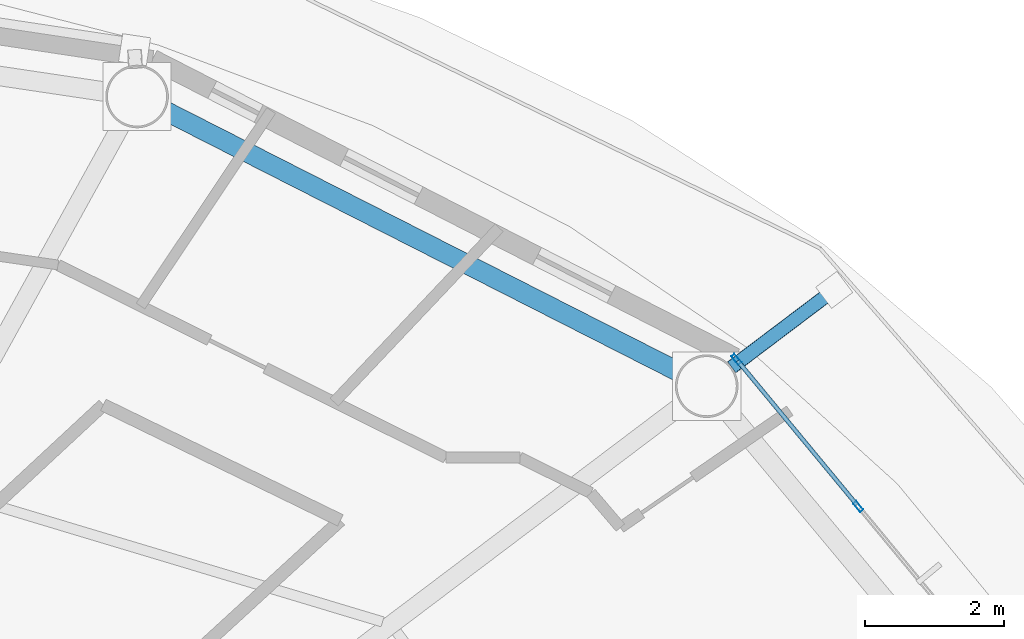
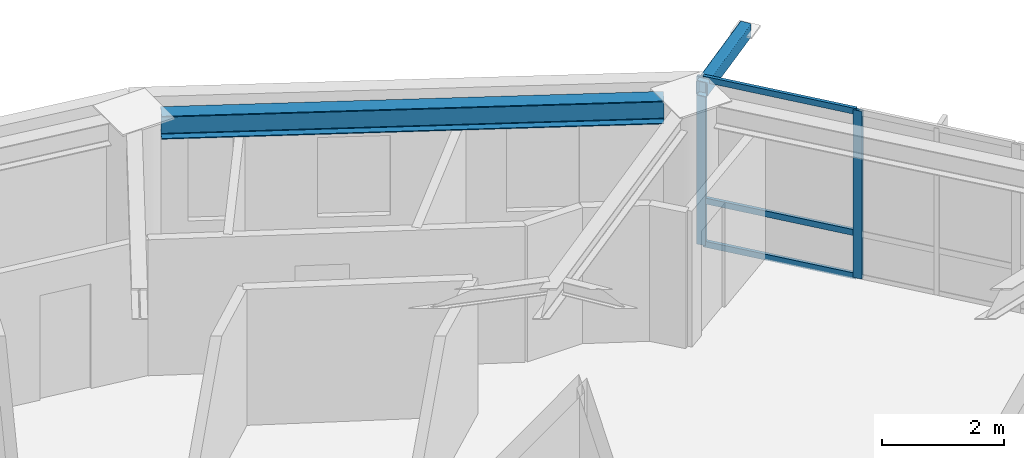
# One storey, part 11 of 23: 6 members, 1 beam, 1 element without a shape of its own.
"""IFC4 building model written with IfcOpenShell, lengths in metres."""

from ifc_helpers import new_model, si_unit, direction, frame, origin, origin_2d, place, context, subcontext, project, spatial, hollow_rectangle, i_section, extrude, material, layer, layer_set, material_profile, profile_set, type_object, element, aggregate, save


model = new_model("IFC4")

# Units and contexts
model_context = context("Model", 3, precision=1e-05, world=origin(), true_north=direction((0.0, 1.0)))
body_context = subcontext(model_context, "Body", "Model", "MODEL_VIEW")
ifc_project = project(units=[si_unit("LENGTHUNIT", "METRE"), si_unit("AREAUNIT", "SQUARE_METRE"), si_unit("VOLUMEUNIT", "CUBIC_METRE"), si_unit("PLANEANGLEUNIT", "RADIAN"), si_unit("MASSUNIT", "GRAM", prefix="KILO")], contexts=[model_context])

# Site, building, storey
site_placement = place(None, origin())
site = spatial("IfcSite", under=ifc_project, at=site_placement, CompositionType="ELEMENT")
building_placement = place(site_placement, origin())
building = spatial("IfcBuilding", under=site, at=building_placement, Name="Sarneth Arch Tower", CompositionType="ELEMENT")
storey_placement = place(building_placement, frame((0.0, 0.0, 262.199951171875)))
storey = spatial("IfcBuildingStorey", under=building, at=storey_placement, Name="L67", CompositionType="ELEMENT", Elevation=262.199951171875)

# Beam
ifc_material_1 = material(Name="Steel S355", Category="steel")
ifc_material_profile_1 = material_profile(ifc_material_1, i_section(OverallWidth=0.280029296875, OverallDepth=0.462890625, WebThickness=0.0107421875, FlangeThickness=0.017333984375, FilletRadius=0.01806640625, at=origin_2d()), Name="W460x113")
ifc_profile_set_1 = profile_set([ifc_material_profile_1], Name="Steel S355")
beam_type = type_object("IfcBeamType", Name="BM-RAD-460A", PredefinedType="BEAM", material=ifc_profile_set_1)
beam_placement = place(storey_placement, frame((65.57421875, 55.780517578125, 3.138427734375), z_axis=(-0.891376248079, 0.453264144138, 0.0), x_axis=(-0.453264144138, -0.891376248079, 0.0)))
element("IfcBeam", 1, at=beam_placement, inside=storey, type_object=beam_type, Name="L67 Perimeter spandrel beam 03", PredefinedType="BEAM", context=body_context, shape_type="SweptSolid", body=[
    extrude(i_section(OverallWidth=0.280029296875, OverallDepth=0.462890625, WebThickness=0.0107421875, FlangeThickness=0.017333984375, FilletRadius=0.01806640625, at=origin_2d()), origin(), (0.0, 0.0, 1.0), 8.281982421875),
])

# Curtain wall, members
ifc_material_2 = material(Name="Anodised aluminium Type AA25 and solar-control low-e laminated IGU", Category="aluminium")
ifc_layer = layer(ifc_material_2, 0.179931640625)
ifc_layer_set = layer_set([ifc_layer], Name="Anodised aluminium Type AA25 and solar-control low-e laminated IGU")
curtain_wall_type = type_object("IfcCurtainWallType", Name="CW-RES-HIGH", PredefinedType="NOTDEFINED", material=ifc_layer_set)
curtain_wall_placement = place(storey_placement, origin())
curtain_wall = element("IfcCurtainWall", 2, at=curtain_wall_placement, inside=storey, type_object=curtain_wall_type, Name="L67 Unitised curtain wall facet 02", PredefinedType="NOTDEFINED")
ifc_material_3 = material(Name="Anodised Aluminium 6063-T6", Category="aluminium")
ifc_material_profile_2 = material_profile(ifc_material_3, hollow_rectangle(XDim=0.06005859375, YDim=0.159912109375, WallThickness=0.00390625, at=origin_2d()), Name="AL-MULL-160x60x4")
ifc_profile_set_2 = profile_set([ifc_material_profile_2], Name="Anodised Aluminium 6063-T6")
member_type_1 = type_object("IfcMemberType", Name="CW-MULLION", PredefinedType="MULLION", material=ifc_profile_set_2)
member_1_placement = place(storey_placement, frame((68.15283203125, 53.84765625, 0.0), z_axis=(0.0, 0.0, 1.0), x_axis=(-0.770359245933, -0.637610094184, 0.0)))
member_1 = element("IfcMember", 3, at=member_1_placement, type_object=member_type_1, Name="CW-SYS-6 mullion 3", PredefinedType="MULLION", context=body_context, shape_type="SweptSolid", body=[
    extrude(hollow_rectangle(XDim=0.06005859375, YDim=0.159912109375, WallThickness=0.00390625, at=origin_2d()), origin(), (0.0, 0.0, 1.0), 3.3701171875),
])
member_2_placement = place(storey_placement, frame((66.401611328125, 55.96337890625, 0.0), z_axis=(0.0, 0.0, 1.0), x_axis=(-0.770359245933, -0.637610094184, 0.0)))
member_2 = element("IfcMember", 4, at=member_2_placement, type_object=member_type_1, Name="CW-SYS-6 mullion 4", PredefinedType="MULLION", context=body_context, shape_type="SweptSolid", body=[
    extrude(hollow_rectangle(XDim=0.06005859375, YDim=0.159912109375, WallThickness=0.00390625, at=origin_2d()), origin(), (0.0, 0.0, 1.0), 3.3701171875),
])
ifc_material_4 = material(Name="Anodised Aluminium 6063-T6", Category="aluminium")
ifc_material_profile_3 = material_profile(ifc_material_4, hollow_rectangle(XDim=0.06005859375, YDim=0.1201171875, WallThickness=0.00390625, at=origin_2d()), Name="AL-TRAN-120x60x4")
ifc_profile_set_3 = profile_set([ifc_material_profile_3], Name="Anodised Aluminium 6063-T6")
member_type_2 = type_object("IfcMemberType", Name="CW-TRANSOM", PredefinedType="USERDEFINED", material=ifc_profile_set_3)
member_3_placement = place(storey_placement, frame((68.1337890625, 53.87060546875, 0.030029296875), z_axis=(-0.637606765719, 0.770362000821, 0.0), x_axis=(-0.770362000821, -0.637606765719, 0.0)))
member_3 = element("IfcMember", 5, at=member_3_placement, type_object=member_type_2, Name="CW-SYS-6 transom 3.1", ObjectType="TRANSOM", PredefinedType="USERDEFINED", context=body_context, shape_type="SweptSolid", body=[
    extrude(hollow_rectangle(XDim=0.06005859375, YDim=0.1201171875, WallThickness=0.00390625, at=origin_2d()), origin(), (0.0, 0.0, 1.0), 2.686767578125),
])
member_4_placement = place(storey_placement, frame((68.1337890625, 53.87060546875, 0.900146484375), z_axis=(-0.637606765719, 0.770362000821, 0.0), x_axis=(-0.770362000821, -0.637606765719, 0.0)))
member_4 = element("IfcMember", 6, at=member_4_placement, type_object=member_type_2, Name="CW-SYS-6 transom 3.2", ObjectType="TRANSOM", PredefinedType="USERDEFINED", context=body_context, shape_type="SweptSolid", body=[
    extrude(hollow_rectangle(XDim=0.06005859375, YDim=0.1201171875, WallThickness=0.00390625, at=origin_2d()), origin(), (0.0, 0.0, 1.0), 2.686767578125),
])
member_5_placement = place(storey_placement, frame((68.1337890625, 53.87060546875, 3.340087890625), z_axis=(-0.637606765719, 0.770362000821, 0.0), x_axis=(-0.770362000821, -0.637606765719, 0.0)))
member_5 = element("IfcMember", 7, at=member_5_placement, type_object=member_type_2, Name="CW-SYS-6 transom 3.3", ObjectType="TRANSOM", PredefinedType="USERDEFINED", context=body_context, shape_type="SweptSolid", body=[
    extrude(hollow_rectangle(XDim=0.06005859375, YDim=0.1201171875, WallThickness=0.00390625, at=origin_2d()), origin(), (0.0, 0.0, 1.0), 2.686767578125),
])
aggregate(curtain_wall, [member_1, member_2, member_3, member_4, member_5])

# Member
ifc_material_5 = material(Name="Steel S355", Category="steel")
ifc_material_profile_4 = material_profile(ifc_material_5, hollow_rectangle(XDim=0.199951171875, YDim=0.300048828125, WallThickness=0.012451171875, InnerFilletRadius=0.018798828125, OuterFilletRadius=0.03125, at=origin_2d()), Name="RHS300x200x12.5")
ifc_profile_set_4 = profile_set([ifc_material_profile_4], Name="Steel S355")
member_type_3 = type_object("IfcMemberType", Name="MEM-CANT-STRUT", PredefinedType="STRUT", material=ifc_profile_set_4)
member_6_placement = place(storey_placement, frame((66.334228515625, 55.84765625, 3.2099609375), z_axis=(0.797980372802, 0.602683436493, 0.0), x_axis=(-0.602683436493, 0.797980372802, 0.0)))
element("IfcMember", 8, at=member_6_placement, inside=storey, type_object=member_type_3, Name="L67 Balcony cantilever bracket 03", PredefinedType="STRUT", context=body_context, shape_type="SweptSolid", body=[
    extrude(hollow_rectangle(XDim=0.199951171875, YDim=0.300048828125, WallThickness=0.012451171875, InnerFilletRadius=0.018798828125, OuterFilletRadius=0.03125, at=origin_2d()), origin(), (0.0, 0.0, 1.0), 1.846435546875),
])

save(model, "model.ifc")
